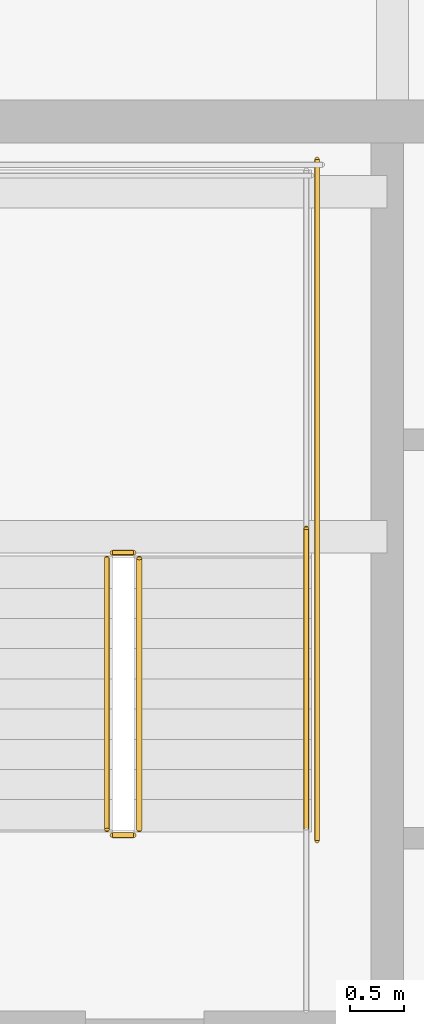
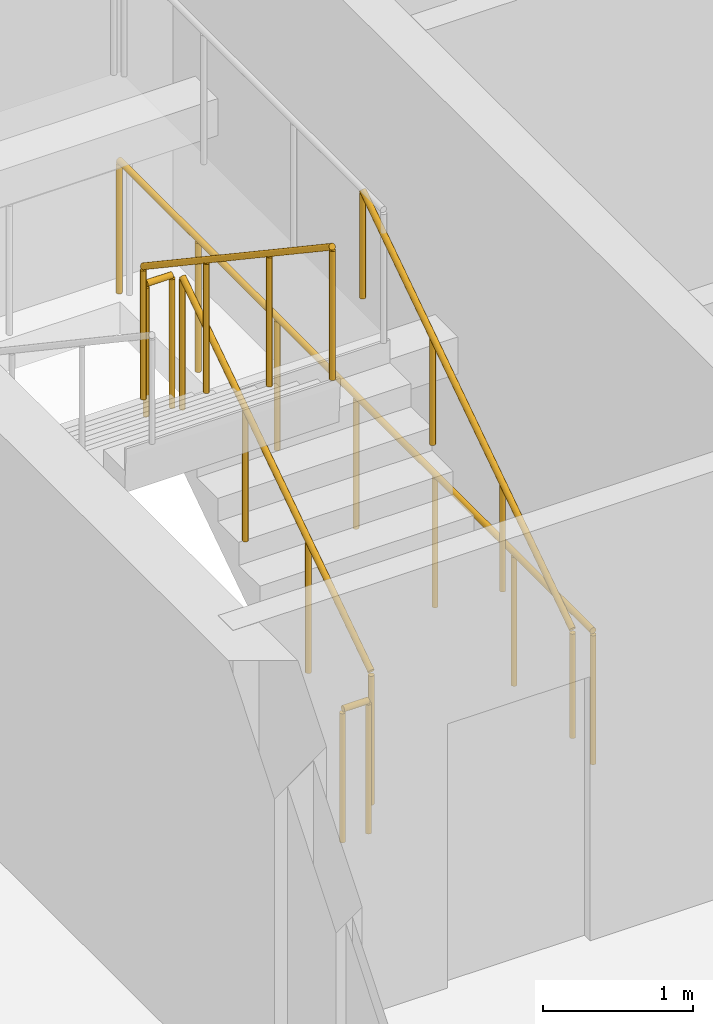
# One storey, part 31 of 35: 6 railings.
"""IFC4 building model written with IfcOpenShell, lengths in metres."""

from ifc_helpers import new_model, si_unit, direction, frame, origin, origin_2d, place, context, subcontext, project, spatial, circle, extrude, material, type_object, element, save


model = new_model("IFC4")

# Units and contexts
model_context = context("Model", 3, precision=1e-05, world=origin(), true_north=direction((0.0, 1.0)))
body_context = subcontext(model_context, "Body", "Model", "MODEL_VIEW")
ifc_project = project(units=[si_unit("LENGTHUNIT", "METRE"), si_unit("AREAUNIT", "SQUARE_METRE"), si_unit("VOLUMEUNIT", "CUBIC_METRE"), si_unit("PLANEANGLEUNIT", "RADIAN"), si_unit("MASSUNIT", "GRAM", prefix="KILO")], contexts=[model_context])

# Site, building, storey
site_placement = place(None, origin())
site = spatial("IfcSite", under=ifc_project, at=site_placement, CompositionType="ELEMENT")
building_placement = place(site_placement, origin())
building = spatial("IfcBuilding", under=site, at=building_placement, Name="Serunith Strait Residences", CompositionType="ELEMENT")
storey_placement = place(building_placement, frame((0.0, 0.0, 157.64990234375)))
storey = spatial("IfcBuildingStorey", under=building, at=storey_placement, Name="L39", CompositionType="ELEMENT", Elevation=157.64990234375)

# Railings
ifc_material = material(Name="Brushed stainless steel 316L", Category="steel")
railing_type_1 = type_object("IfcRailingType", Name="RLG-STAIR-GUARD", PredefinedType="BALUSTRADE", material=ifc_material)
railing_1_placement = place(storey_placement, frame((25.550048828125, 27.030029296875, 0.1875)))
element("IfcRailing", 1, at=railing_1_placement, inside=storey, type_object=railing_type_1, Name="L39 ST-1 stair guard 1", PredefinedType="BALUSTRADE", context=body_context, shape_type="SweptSolid", body=[
    extrude(circle(Radius=0.02392578125, at=origin_2d()), frame((0.0, 0.001708984375, 1.0771484375), z_axis=(0.0, 0.830909170722, 0.55640807867), x_axis=(-1.0, 0.0, 0.0)), (0.0, 0.0, 1.0), 3.02880859375),
    extrude(circle(Radius=0.02099609375, at=origin_2d()), origin(), (0.0, 0.0, 1.0), 1.050048828125),
    extrude(circle(Radius=0.02099609375, at=origin_2d()), frame((0.0, 0.840087890625, 0.5625)), (0.0, 0.0, 1.0), 1.050048828125),
    extrude(circle(Radius=0.02099609375, at=origin_2d()), frame((0.0, 1.679931640625, 1.125)), (0.0, 0.0, 1.0), 1.050048828125),
    extrude(circle(Radius=0.02099609375, at=origin_2d()), frame((0.0, 2.52001953125, 1.6875)), (0.0, 0.0, 1.0), 1.050048828125),
])
railing_2_placement = place(storey_placement, frame((25.5, 29.60009765625, 1.875)))
element("IfcRailing", 2, at=railing_2_placement, inside=storey, type_object=railing_type_1, Name="L39 ST-1 stair guard 2", PredefinedType="BALUSTRADE", context=body_context, shape_type="SweptSolid", body=[
    extrude(circle(Radius=0.02392578125, at=origin_2d()), frame((-0.001953125, 0.0, 1.076171875), z_axis=(-1.0, 0.0, 0.0), x_axis=(0.0, -1.0, 0.0)), (0.0, 0.0, 1.0), 0.196044921875),
    extrude(circle(Radius=0.02099609375, at=origin_2d()), origin(), (0.0, 0.0, 1.0), 1.050048828125),
    extrude(circle(Radius=0.02099609375, at=origin_2d()), frame((-0.199951171875, 0.0, 0.0)), (0.0, 0.0, 1.0), 1.050048828125),
])
railing_3_placement = place(storey_placement, frame((25.25, 29.550048828125, 2.0625)))
element("IfcRailing", 3, at=railing_3_placement, inside=storey, type_object=railing_type_1, Name="L39 ST-1 stair guard 6", PredefinedType="BALUSTRADE", context=body_context, shape_type="SweptSolid", body=[
    extrude(circle(Radius=0.02392578125, at=origin_2d()), frame((0.0, -0.001708984375, 1.0771484375), z_axis=(0.0, -0.830909170722, 0.55640807867), x_axis=(1.0, 0.0, 0.0)), (0.0, 0.0, 1.0), 3.02880859375),
    extrude(circle(Radius=0.02099609375, at=origin_2d()), origin(), (0.0, 0.0, 1.0), 1.050048828125),
    extrude(circle(Radius=0.02099609375, at=origin_2d()), frame((0.0, -0.840087890625, 0.5625)), (0.0, 0.0, 1.0), 1.050048828125),
    extrude(circle(Radius=0.02099609375, at=origin_2d()), frame((0.0, -1.679931640625, 1.125)), (0.0, 0.0, 1.0), 1.050048828125),
    extrude(circle(Radius=0.02099609375, at=origin_2d()), frame((0.0, -2.52001953125, 1.6875)), (0.0, 0.0, 1.0), 1.050048828125),
])
railing_4_placement = place(storey_placement, frame((25.5, 26.97998046875, 0.0)))
element("IfcRailing", 4, at=railing_4_placement, inside=storey, type_object=railing_type_1, Name="L39 ST-1 stair guard 7", PredefinedType="BALUSTRADE", context=body_context, shape_type="SweptSolid", body=[
    extrude(circle(Radius=0.02392578125, at=origin_2d()), frame((-0.001953125, 0.0, 1.076171875), z_axis=(-1.0, 0.0, 0.0), x_axis=(0.0, -1.0, 0.0)), (0.0, 0.0, 1.0), 0.196044921875),
    extrude(circle(Radius=0.02099609375, at=origin_2d()), origin(), (0.0, 0.0, 1.0), 1.050048828125),
    extrude(circle(Radius=0.02099609375, at=origin_2d()), frame((-0.199951171875, 0.0, 0.0)), (0.0, 0.0, 1.0), 1.050048828125),
])
railing_5_placement = place(storey_placement, frame((27.199951171875, 26.929931640625, 0.0)))
element("IfcRailing", 5, at=railing_5_placement, inside=storey, type_object=railing_type_1, Name="L39 ST-1 stair guard 10", PredefinedType="BALUSTRADE", context=body_context, shape_type="SweptSolid", body=[
    extrude(circle(Radius=0.02392578125, at=origin_2d()), frame((0.0, 0.001953125, 1.076171875), z_axis=(0.0, 1.0, 0.0), x_axis=(-1.0, 0.0, 0.0)), (0.0, 0.0, 1.0), 6.316162109375),
    extrude(circle(Radius=0.02099609375, at=origin_2d()), origin(), (0.0, 0.0, 1.0), 1.050048828125),
    extrude(circle(Radius=0.02099609375, at=origin_2d()), frame((0.0, 1.05322265625, 0.0)), (0.0, 0.0, 1.0), 1.050048828125),
    extrude(circle(Radius=0.02099609375, at=origin_2d()), frame((0.0, 2.106689453125, 0.0)), (0.0, 0.0, 1.0), 1.050048828125),
    extrude(circle(Radius=0.02099609375, at=origin_2d()), frame((0.0, 3.16015625, 0.0)), (0.0, 0.0, 1.0), 1.050048828125),
    extrude(circle(Radius=0.02099609375, at=origin_2d()), frame((0.0, 4.21337890625, 0.0)), (0.0, 0.0, 1.0), 1.050048828125),
    extrude(circle(Radius=0.02099609375, at=origin_2d()), frame((0.0, 5.2666015625, 0.0)), (0.0, 0.0, 1.0), 1.050048828125),
    extrude(circle(Radius=0.02099609375, at=origin_2d()), frame((0.0, 6.320068359375, 0.0)), (0.0, 0.0, 1.0), 1.050048828125),
])
railing_type_2 = type_object("IfcRailingType", Name="RLG-STAIR-HR", PredefinedType="HANDRAIL", material=ifc_material)
railing_6_placement = place(storey_placement, frame((27.10009765625, 27.030029296875, 0.1875)))
element("IfcRailing", 6, at=railing_6_placement, inside=storey, type_object=railing_type_2, Name="L39 ST-1 stair handrail 1", PredefinedType="HANDRAIL", context=body_context, shape_type="SweptSolid", body=[
    extrude(circle(Radius=0.02392578125, at=origin_2d()), frame((0.0, 0.001708984375, 0.876953125), z_axis=(0.0, 0.830208209119, 0.557453432594), x_axis=(-1.0, 0.0, 0.0)), (0.0, 0.0, 1.0), 3.36865234375),
    extrude(circle(Radius=0.02099609375, at=origin_2d()), origin(), (0.0, 0.0, 1.0), 0.849853515625),
    extrude(circle(Radius=0.02099609375, at=origin_2d()), frame((0.0, 0.933349609375, 0.626708984375)), (0.0, 0.0, 1.0), 0.849853515625),
    extrude(circle(Radius=0.02099609375, at=origin_2d()), frame((0.0, 1.86669921875, 1.25341796875)), (0.0, 0.0, 1.0), 0.849853515625),
    extrude(circle(Radius=0.02099609375, at=origin_2d()), frame((0.0, 2.800048828125, 1.880126953125)), (0.0, 0.0, 1.0), 0.849853515625),
])

save(model, "model.ifc")
